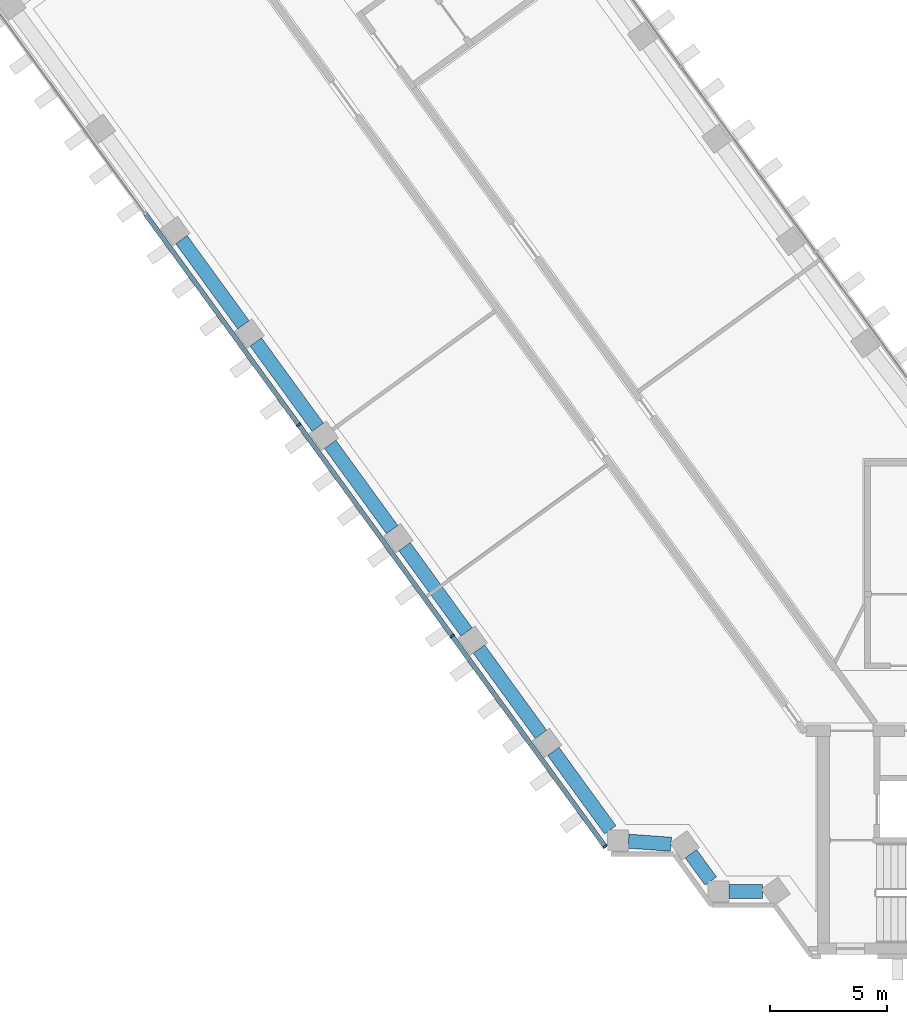
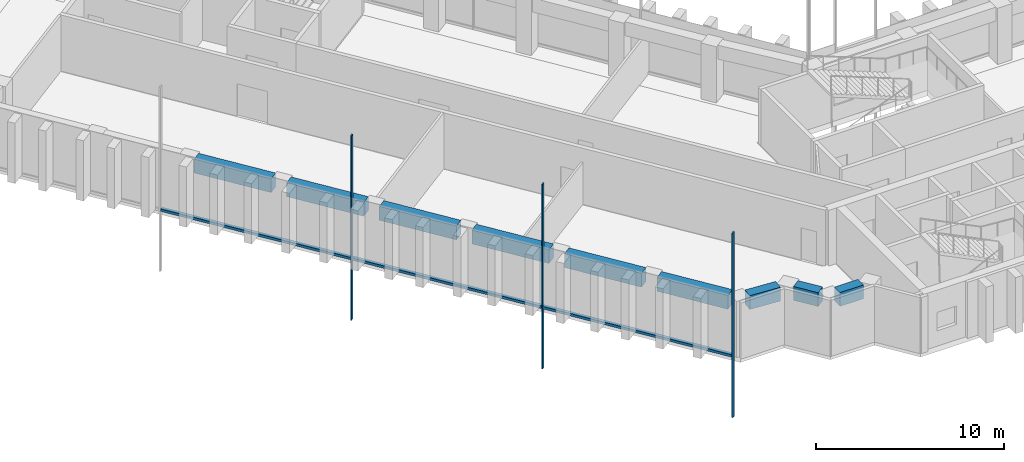
# One storey, part 2 of 18: 9 beams, 6 members, 1 element without a shape of its own.
"""IFC4 building model written with IfcOpenShell, lengths in metres."""

from ifc_helpers import new_model, si_unit, direction, frame, origin, origin_2d, place, context, subcontext, project, spatial, rectangle, extrude, material, material_profile, profile_set, type_object, element, aggregate, save


model = new_model("IFC4")

# Units and contexts
model_context = context("Model", 3, precision=1e-05, world=origin(), true_north=direction((0.0, 1.0)))
body_context = subcontext(model_context, "Body", "Model", "MODEL_VIEW")
ifc_project = project(units=[si_unit("LENGTHUNIT", "METRE"), si_unit("AREAUNIT", "SQUARE_METRE"), si_unit("VOLUMEUNIT", "CUBIC_METRE"), si_unit("PLANEANGLEUNIT", "RADIAN"), si_unit("MASSUNIT", "GRAM", prefix="KILO")], contexts=[model_context])

# Site, building, storey
site_placement = place(None, origin())
site = spatial("IfcSite", under=ifc_project, at=site_placement, CompositionType="ELEMENT")
building_placement = place(site_placement, origin())
building = spatial("IfcBuilding", under=site, at=building_placement, Name="Quipu Civic Tower", CompositionType="ELEMENT")
storey_placement = place(building_placement, frame((0.0, 0.0, 71.0)))
storey = spatial("IfcBuildingStorey", under=building, at=storey_placement, Name="L16", CompositionType="ELEMENT", Elevation=71.0)

# Curtain wall, members
ifc_material_1 = material(Name="Insulated glass unit", Category="glass")
curtain_wall_type = type_object("IfcCurtainWallType", Name="Office curtain wall CW1", PredefinedType="NOTDEFINED", material=ifc_material_1)
curtain_wall_placement = place(storey_placement, origin())
curtain_wall = element("IfcCurtainWall", 1, at=curtain_wall_placement, inside=storey, type_object=curtain_wall_type, Name="Office curtain wall CW1 L15 run 8", PredefinedType="NOTDEFINED")
ifc_material_2 = material(Name="Anodised aluminium", Category="aluminium")
ifc_material_profile_1 = material_profile(ifc_material_2, rectangle(XDim=0.199951171875, YDim=0.080078125, at=origin_2d()), Name="RECT 200x80")
ifc_profile_set_1 = profile_set([ifc_material_profile_1], Name="Anodised aluminium")
member_type_1 = type_object("IfcMemberType", Name="Mullion CW1", PredefinedType="MULLION", material=ifc_profile_set_1)
member_1_placement = place(storey_placement, frame((-42.155029296875, 11.609130859375, -3.919921875), z_axis=(0.0, 0.0, 1.0), x_axis=(0.809016770908, 0.587785559869, 0.0)))
member_1 = element("IfcMember", 2, at=member_1_placement, type_object=member_type_1, Name="CW1 mullion 3", PredefinedType="MULLION", context=body_context, shape_type="SweptSolid", body=[
    extrude(rectangle(XDim=0.199951171875, YDim=0.080078125, at=origin_2d()), origin(), (0.0, 0.0, 1.0), 12.0),
])
member_2_placement = place(storey_placement, frame((-35.60546875, 2.594482421875, -3.919921875), z_axis=(0.0, 0.0, 1.0), x_axis=(0.809016770908, 0.587785559869, 0.0)))
member_2 = element("IfcMember", 3, at=member_2_placement, type_object=member_type_1, Name="CW1 mullion 4", PredefinedType="MULLION", context=body_context, shape_type="SweptSolid", body=[
    extrude(rectangle(XDim=0.199951171875, YDim=0.080078125, at=origin_2d()), origin(), (0.0, 0.0, 1.0), 12.0),
])
member_3_placement = place(storey_placement, frame((-29.079345703125, -6.3876953125, -3.919921875), z_axis=(0.0, 0.0, 1.0), x_axis=(0.809016770908, 0.587785559869, 0.0)))
member_3 = element("IfcMember", 4, at=member_3_placement, type_object=member_type_1, Name="CW1 mullion 5", PredefinedType="MULLION", context=body_context, shape_type="SweptSolid", body=[
    extrude(rectangle(XDim=0.199951171875, YDim=0.080078125, at=origin_2d()), origin(), (0.0, 0.0, 1.0), 12.0),
])

# Beams
ifc_material_3 = material(Name="Concrete C50/60", Category="concrete")
ifc_material_profile_2 = material_profile(ifc_material_3, rectangle(XDim=0.60009765625, YDim=0.89990234375, at=origin_2d()), Name="RC600x900")
ifc_profile_set_2 = profile_set([ifc_material_profile_2], Name="Concrete C50/60")
beam_type = type_object("IfcBeamType", Name="Spandrel beam RC 600x900 C50/60", PredefinedType="SPANDREL", material=ifc_profile_set_2)
beam_1_placement = place(storey_placement, frame((-47.15380859375, 19.5107421875, 3.199951171875), z_axis=(0.587803872688, -0.809003465539, 0.0), x_axis=(0.809003465539, 0.587803872688, 0.0)))
element("IfcBeam", 5, at=beam_1_placement, inside=storey, type_object=beam_type, Name="Spandrel beam L16 W-OUT-06 to W-OUT-05", PredefinedType="SPANDREL", context=body_context, shape_type="SweptSolid", body=[
    extrude(rectangle(XDim=0.60009765625, YDim=0.89990234375, at=origin_2d()), origin(), (0.0, 0.0, 1.0), 4.499755859375),
])
for number, where, z_axis, x_axis, name in (
    (6, (-43.97998046875, 15.14208984375, 3.199951171875), (0.587778073121, -0.809022210299, 0.0), (0.809022210299, 0.587778073121, 0.0), "Spandrel beam L16 W-OUT-05 to W-OUT-04"),
    (7, (-40.805908203125, 10.7734375, 3.199951171875), (0.587778073121, -0.809022210299, 0.0), (0.809022210299, 0.587778073121, 0.0), "Spandrel beam L16 W-OUT-04 to W-OUT-03"),
):
    element("IfcBeam", number, at=place(storey_placement, frame(where, z_axis=z_axis, x_axis=x_axis)), inside=storey, type_object=beam_type, Name=name, PredefinedType="SPANDREL", context=body_context, shape_type="SweptSolid", body=[
        extrude(rectangle(XDim=0.60009765625, YDim=0.89990234375, at=origin_2d()), origin(), (0.0, 0.0, 1.0), 4.5),
    ])
beam_2_placement = place(storey_placement, frame((-37.6318359375, 6.404541015625, 3.199951171875), z_axis=(0.587803872688, -0.809003465539, 0.0), x_axis=(0.809003465539, 0.587803872688, 0.0)))
element("IfcBeam", 8, at=beam_2_placement, inside=storey, type_object=beam_type, Name="Spandrel beam L16 W-OUT-03 to W-OUT-02", PredefinedType="SPANDREL", context=body_context, shape_type="SweptSolid", body=[
    extrude(rectangle(XDim=0.60009765625, YDim=0.89990234375, at=origin_2d()), origin(), (0.0, 0.0, 1.0), 4.499755859375),
])
beam_3_placement = place(storey_placement, frame((-34.457763671875, 2.035888671875, 3.199951171875), z_axis=(0.587778073121, -0.809022210299, 0.0), x_axis=(0.809022210299, 0.587778073121, 0.0)))
element("IfcBeam", 9, at=beam_3_placement, inside=storey, type_object=beam_type, Name="Spandrel beam L16 W-OUT-02 to W-OUT-01", PredefinedType="SPANDREL", context=body_context, shape_type="SweptSolid", body=[
    extrude(rectangle(XDim=0.60009765625, YDim=0.89990234375, at=origin_2d()), origin(), (0.0, 0.0, 1.0), 4.5),
])
beam_4_placement = place(storey_placement, frame((-31.28369140625, -2.332763671875, 3.199951171875), z_axis=(0.587750565781, -0.809042194464, 0.0), x_axis=(0.809042194464, 0.587750565781, 0.0)))
element("IfcBeam", 10, at=beam_4_placement, inside=storey, type_object=beam_type, Name="Spandrel beam L16 W-OUT-01 to J-Wo.0", PredefinedType="SPANDREL", context=body_context, shape_type="SweptSolid", body=[
    extrude(rectangle(XDim=0.60009765625, YDim=0.89990234375, at=origin_2d()), origin(), (0.0, 0.0, 1.0), 4.13720703125),
])
beam_5_placement = place(storey_placement, frame((-28.074951171875, -6.16259765625, 3.199951171875), z_axis=(0.997367229877, -0.072516265536, 0.0), x_axis=(0.072516265536, 0.997367229877, 0.0)))
element("IfcBeam", 11, at=beam_5_placement, inside=storey, type_object=beam_type, Name="Spandrel beam L16 J-Wo.0 to J-Wo.1", PredefinedType="SPANDREL", context=body_context, shape_type="SweptSolid", body=[
    extrude(rectangle(XDim=0.60009765625, YDim=0.89990234375, at=origin_2d()), origin(), (0.0, 0.0, 1.0), 1.818115234375),
])
beam_6_placement = place(storey_placement, frame((-25.40966796875, -6.700927734375, 3.199951171875), z_axis=(0.588433824377, -0.808545381738, 0.0), x_axis=(0.808545381738, 0.588433824377, 0.0)))
element("IfcBeam", 12, at=beam_6_placement, inside=storey, type_object=beam_type, Name="Spandrel beam L16 J-Wo.1 to J-Wo.2", PredefinedType="SPANDREL", context=body_context, shape_type="SweptSolid", body=[
    extrude(rectangle(XDim=0.60009765625, YDim=0.89990234375, at=origin_2d()), origin(), (0.0, 0.0, 1.0), 1.439697265625),
])
beam_7_placement = place(storey_placement, frame((-23.784912109375, -8.31494140625, 3.199951171875), z_axis=(1.0, 0.0, 0.0), x_axis=(0.0, 1.0, 0.0)))
element("IfcBeam", 13, at=beam_7_placement, inside=storey, type_object=beam_type, Name="Spandrel beam L16 J-Wo.2 to J-Wo.3", PredefinedType="SPANDREL", context=body_context, shape_type="SweptSolid", body=[
    extrude(rectangle(XDim=0.60009765625, YDim=0.89990234375, at=origin_2d()), origin(), (0.0, 0.0, 1.0), 1.436767578125),
])

# Member
ifc_material_4 = material(Name="Anodised aluminium", Category="aluminium")
ifc_material_profile_3 = material_profile(ifc_material_4, rectangle(XDim=0.199951171875, YDim=0.159912109375, at=origin_2d()), Name="RECT 200x160")
ifc_profile_set_3 = profile_set([ifc_material_profile_3], Name="Anodised aluminium")
member_type_2 = type_object("IfcMemberType", Name="Transom CW1", PredefinedType="USERDEFINED", material=ifc_profile_set_3)
member_4_placement = place(storey_placement, frame((-48.68115234375, 20.591552734375, 0.080078125), z_axis=(0.587795037589, -0.80900988485, 0.0), x_axis=(0.80900988485, 0.587795037589, 0.0)))
member_4 = element("IfcMember", 14, at=member_4_placement, type_object=member_type_2, Name="CW1 transom 2.2", ObjectType="TRANSOM", PredefinedType="USERDEFINED", context=body_context, shape_type="SweptSolid", body=[
    extrude(rectangle(XDim=0.199951171875, YDim=0.159912109375, at=origin_2d()), origin(), (0.0, 0.0, 1.0), 11.062744140625),
])

member_5_placement = place(storey_placement, frame((-42.131591796875, 11.576904296875, 0.080078125), z_axis=(0.587795037589, -0.80900988485, 0.0), x_axis=(0.80900988485, 0.587795037589, 0.0)))
member_5 = element("IfcMember", 15, at=member_5_placement, type_object=member_type_2, Name="CW1 transom 3.2", ObjectType="TRANSOM", PredefinedType="USERDEFINED", context=body_context, shape_type="SweptSolid", body=[
    extrude(rectangle(XDim=0.199951171875, YDim=0.159912109375, at=origin_2d()), origin(), (0.0, 0.0, 1.0), 11.062744140625),
])

member_6_placement = place(storey_placement, frame((-35.58203125, 2.562255859375, 0.080078125), z_axis=(0.587779179422, -0.809021406539, 0.0), x_axis=(0.809021406539, 0.587779179422, 0.0)))
member_6 = element("IfcMember", 16, at=member_6_placement, type_object=member_type_2, Name="CW1 transom 4.2", ObjectType="TRANSOM", PredefinedType="USERDEFINED", context=body_context, shape_type="SweptSolid", body=[
    extrude(rectangle(XDim=0.199951171875, YDim=0.159912109375, at=origin_2d()), origin(), (0.0, 0.0, 1.0), 11.02294921875),
])

aggregate(curtain_wall, [member_1, member_2, member_3, member_4, member_5, member_6])

save(model, "model.ifc")
